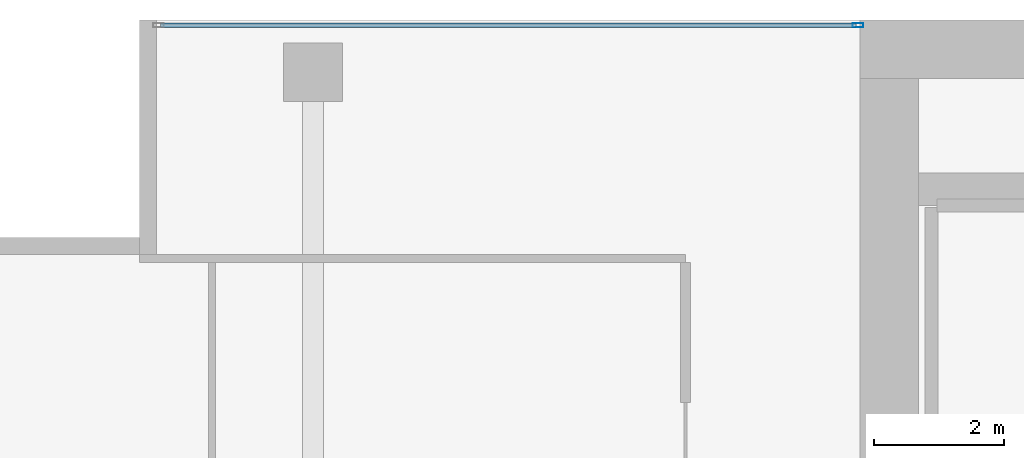
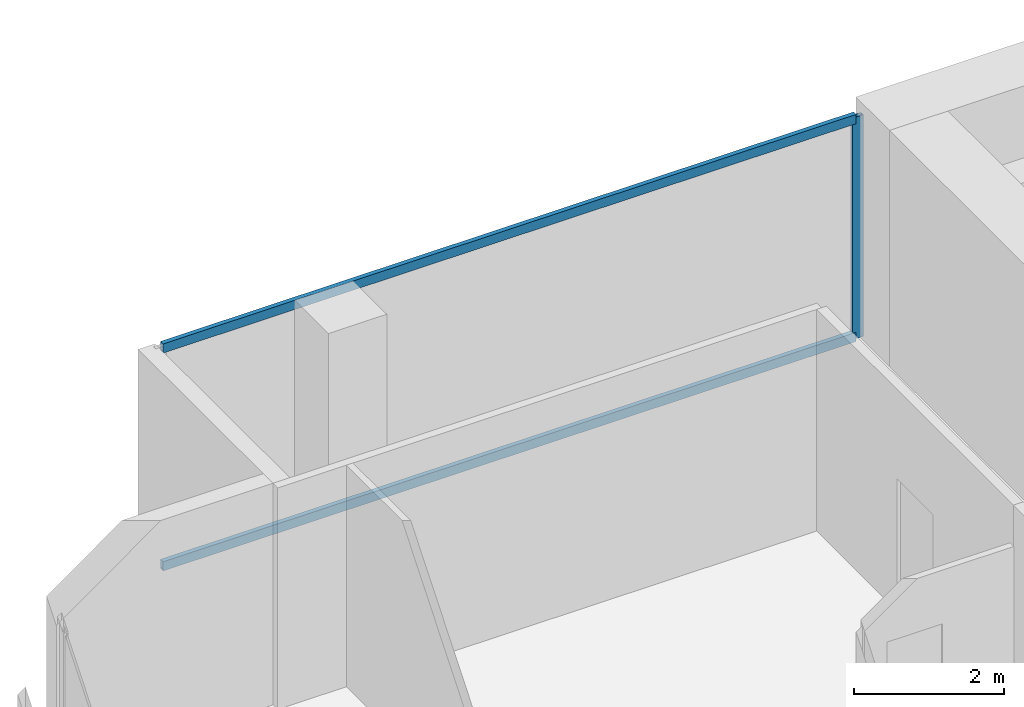
# One storey, part 26 of 40: 3 members, 1 element without a shape of its own.
"""IFC4 building model written with IfcOpenShell, lengths in metres."""

from ifc_helpers import new_model, si_unit, direction, frame, origin, origin_2d, place, context, subcontext, project, spatial, hollow_rectangle, extrude, material, layer, layer_set, material_profile, profile_set, type_object, element, aggregate, save


model = new_model("IFC4")

# Units and contexts
model_context = context("Model", 3, precision=1e-05, world=origin(), true_north=direction((0.0, 1.0)))
body_context = subcontext(model_context, "Body", "Model", "MODEL_VIEW")
ifc_project = project(units=[si_unit("LENGTHUNIT", "METRE"), si_unit("AREAUNIT", "SQUARE_METRE"), si_unit("VOLUMEUNIT", "CUBIC_METRE"), si_unit("PLANEANGLEUNIT", "RADIAN"), si_unit("MASSUNIT", "GRAM", prefix="KILO")], contexts=[model_context])

# Site, building, storey
site_placement = place(None, origin())
site = spatial("IfcSite", under=ifc_project, at=site_placement, CompositionType="ELEMENT")
building_placement = place(site_placement, origin())
building = spatial("IfcBuilding", under=site, at=building_placement, Name="Maruvema Waterfront Hotel and Observation Tower", CompositionType="ELEMENT")
storey_placement = place(building_placement, frame((0.0, 0.0, 30.800048828125)))
storey = spatial("IfcBuildingStorey", under=building, at=storey_placement, Name="L06", CompositionType="ELEMENT", Elevation=30.800048828125)

# Curtain wall, members
ifc_material_1 = material(Name="Anodised bronze aluminium and solar-control low-E IGU", Category="aluminium")
ifc_layer = layer(ifc_material_1, 0.159912109375, Name="Zone 1 Bronze Inner Thermal Curtain Wall System CW-02")
ifc_layer_set = layer_set([ifc_layer], Name="Anodised bronze aluminium and solar-control low-E IGU")
curtain_wall_type = type_object("IfcCurtainWallType", Name="Zone 1 Bronze Inner Thermal Curtain Wall System CW-02", PredefinedType="USERDEFINED", material=ifc_layer_set)
curtain_wall_placement = place(storey_placement, origin())
curtain_wall = element("IfcCurtainWall", 1, at=curtain_wall_placement, inside=storey, type_object=curtain_wall_type, Name="L06 Curtain Wall CW-L06-NW", ObjectType="UNITISED CURTAIN WALL", PredefinedType="USERDEFINED")
ifc_material_2 = material(Name="Anodised architectural bronze aluminium", Category="aluminium")
ifc_material_profile_1 = material_profile(ifc_material_2, hollow_rectangle(XDim=0.070068359375, YDim=0.14990234375, WallThickness=0.00390625, at=origin_2d()), Name="ALU-T70x150")
ifc_profile_set_1 = profile_set([ifc_material_profile_1], Name="Anodised architectural bronze aluminium")
member_type_1 = type_object("IfcMemberType", Name="Curtain Wall Horizontal Transom ALU-T70x150", PredefinedType="USERDEFINED", material=ifc_profile_set_1)
member_1_placement = place(storey_placement, frame((25.139892578125, 53.919921875, 0.030029296875), z_axis=(-1.0, 0.0, 0.0), x_axis=(0.0, -1.0, 0.0)))
member_1 = element("IfcMember", 2, at=member_1_placement, type_object=member_type_1, Name="CW-02 transom 1.1", ObjectType="TRANSOM", PredefinedType="USERDEFINED", context=body_context, shape_type="SweptSolid", body=[
    extrude(hollow_rectangle(XDim=0.070068359375, YDim=0.14990234375, WallThickness=0.00390625, at=origin_2d()), origin(), (0.0, 0.0, 1.0), 10.679931640625),
])
member_2_placement = place(storey_placement, frame((25.139892578125, 53.919921875, 3.579833984375), z_axis=(-1.0, 0.0, 0.0), x_axis=(0.0, -1.0, 0.0)))
member_2 = element("IfcMember", 3, at=member_2_placement, type_object=member_type_1, Name="CW-02 transom 1.2", ObjectType="TRANSOM", PredefinedType="USERDEFINED", context=body_context, shape_type="SweptSolid", body=[
    extrude(hollow_rectangle(XDim=0.070068359375, YDim=0.14990234375, WallThickness=0.00390625, at=origin_2d()), origin(), (0.0, 0.0, 1.0), 10.679931640625),
])
ifc_material_3 = material(Name="Anodised architectural bronze aluminium", Category="aluminium")
ifc_material_profile_2 = material_profile(ifc_material_3, hollow_rectangle(XDim=0.06494140625, YDim=0.1650390625, WallThickness=0.00390625, at=origin_2d()), Name="ALU-M65x165")
ifc_profile_set_2 = profile_set([ifc_material_profile_2], Name="Anodised architectural bronze aluminium")
member_type_2 = type_object("IfcMemberType", Name="Curtain Wall Primary Mullion ALU-M65x165", PredefinedType="MULLION", material=ifc_profile_set_2)
member_3_placement = place(storey_placement, frame((25.169921875, 53.919921875, 0.0), z_axis=(0.0, 0.0, 1.0), x_axis=(0.0, -1.0, 0.0)))
member_3 = element("IfcMember", 4, at=member_3_placement, type_object=member_type_2, Name="CW-02 mullion 1", PredefinedType="MULLION", context=body_context, shape_type="SweptSolid", body=[
    extrude(hollow_rectangle(XDim=0.06494140625, YDim=0.1650390625, WallThickness=0.00390625, at=origin_2d()), origin(), (0.0, 0.0, 1.0), 3.60986328125),
])
aggregate(curtain_wall, [member_3, member_1, member_2])

save(model, "model.ifc")
